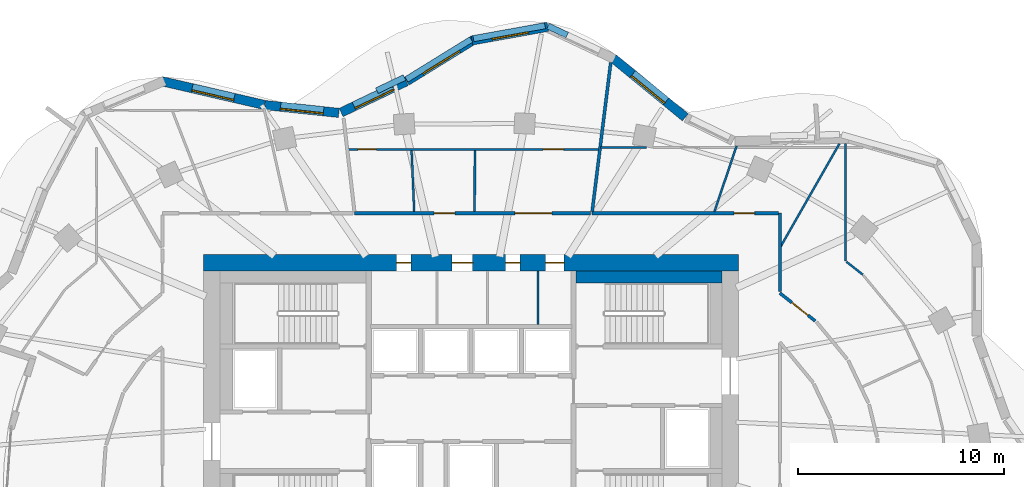
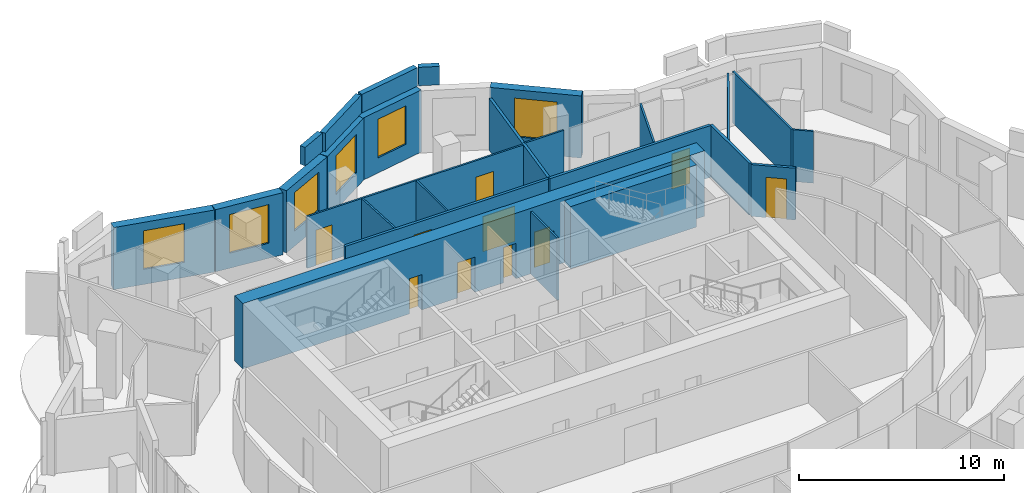
# One storey, part 10 of 13: 26 walls, 10 doors, 6 windows, 16 openings.
"""IFC4 building model written with IfcOpenShell, lengths in metres."""

from ifc_helpers import new_model, si_unit, direction, frame, frame_2d, origin, place, context, subcontext, project, spatial, rectangle, extrude, material, layer, layer_set, type_object, element, fill, save


model = new_model("IFC4")

# Units and contexts
model_context = context("Model", 3, precision=1e-05, world=origin(), true_north=direction((0.0, 1.0)))
body_context = subcontext(model_context, "Body", "Model", "MODEL_VIEW")
ifc_project = project(units=[si_unit("LENGTHUNIT", "METRE"), si_unit("AREAUNIT", "SQUARE_METRE"), si_unit("VOLUMEUNIT", "CUBIC_METRE"), si_unit("PLANEANGLEUNIT", "RADIAN"), si_unit("MASSUNIT", "GRAM", prefix="KILO")], contexts=[model_context])

# Site, building, storey
site_placement = place(None, origin())
site = spatial("IfcSite", under=ifc_project, at=site_placement, CompositionType="ELEMENT")
building_placement = place(site_placement, origin())
building = spatial("IfcBuilding", under=site, at=building_placement, Name="Rubra Terraces Tower", CompositionType="ELEMENT")
storey_placement = place(building_placement, frame((0.0, 0.0, 209.10009765625)))
storey = spatial("IfcBuildingStorey", under=building, at=storey_placement, Name="L51", CompositionType="ELEMENT", Elevation=209.10009765625)

# Wall, opening, window
ifc_material_1 = material(Name="Brick masonry red-brown", Category="masonry")
ifc_layer_1 = layer(ifc_material_1, 0.449951171875)
ifc_layer_set_1 = layer_set([ifc_layer_1], Name="Brick masonry red-brown")
wall_type_1 = type_object("IfcWallType", Name="Brick facade wall 450", PredefinedType="SOLIDWALL", material=ifc_layer_set_1)
wall_1_placement = place(storey_placement, frame((10.407470703125, 18.660888671875, 0.0), z_axis=(0.0, 0.0, 1.0), x_axis=(-0.773702458947, 0.633549133864, 0.0)))
wall_1 = element("IfcWall", 1, at=wall_1_placement, inside=storey, type_object=wall_type_1, Name="Facade wall L51 bay 8", PredefinedType="SOLIDWALL", context=body_context, shape_type="SweptSolid", body=[
    extrude(rectangle(XDim=4.525634765625, YDim=0.449951171875, at=frame_2d((2.2626953125, 0.0))), origin(), (0.0, 0.0, 1.0), 3.699951171875),
])
opening_1_placement = place(wall_1_placement, frame((1.212890625, 0.0, 0.89990234375)))
opening_1 = element("IfcOpeningElement", 2, at=opening_1_placement, cuts=wall_1, Name="Opening W1B", PredefinedType="OPENING", context=body_context, shape_type="SweptSolid", body=[
    extrude(rectangle(XDim=2.10009765625, YDim=2.300048828125, at=frame_2d((1.050048828125, 1.14990234375))), frame((0.0, 0.23486328125, 0.0), z_axis=(0.0, -1.0, 0.0), x_axis=(1.0, 0.0, 0.0)), (0.0, 0.0, 1.0), 0.469970703125),
])
ifc_material_2 = material(Name="Clear glass in aluminium frame", Category="aluminium")
window_type_1 = type_object("IfcWindowType", Name="Fixed deep-set window tall storey 2100 x 2300", PartitioningType="SINGLE_PANEL", PredefinedType="WINDOW", material=ifc_material_2)
window_1_placement = place(opening_1_placement, origin())
window_1 = element("IfcWindow", 3, at=window_1_placement, inside=storey, type_object=window_type_1, Name="Window L51 bay 8", OverallHeight=2.300048828125, OverallWidth=2.10009765625, PartitioningType="SINGLE_PANEL", PredefinedType="WINDOW", context=body_context, shape_type="SweptSolid", body=[
    extrude(rectangle(XDim=2.10009765625, YDim=2.300048828125, at=frame_2d((1.050048828125, 1.14990234375))), frame((0.0, 0.135009765625, 0.0), z_axis=(0.0, -1.0, 0.0), x_axis=(1.0, 0.0, 0.0)), (0.0, 0.0, 1.0), 0.06005859375),
])
fill(opening_1, window_1)

wall_2_placement = place(storey_placement, frame((3.726806640625, 23.060546875, 0.0), z_axis=(0.0, 0.0, 1.0), x_axis=(-0.984119180424, -0.177508982087, 0.0)))
wall_2 = element("IfcWall", 4, at=wall_2_placement, inside=storey, type_object=wall_type_1, Name="Facade wall L51 bay 10", PredefinedType="SOLIDWALL", context=body_context, shape_type="SweptSolid", body=[
    extrude(rectangle(XDim=3.74658203125, YDim=0.449951171875, at=frame_2d((1.873291015625, 0.0))), origin(), (0.0, 0.0, 1.0), 3.699951171875),
])
opening_2_placement = place(wall_2_placement, frame((0.97314453125, 0.0, 0.89990234375)))
opening_2 = element("IfcOpeningElement", 5, at=opening_2_placement, cuts=wall_2, Name="Opening W6B", PredefinedType="OPENING", context=body_context, shape_type="SweptSolid", body=[
    extrude(rectangle(XDim=1.800048828125, YDim=2.300048828125, at=frame_2d((0.89990234375, 1.14990234375))), frame((0.0, 0.23486328125, 0.0), z_axis=(0.0, -1.0, 0.0), x_axis=(1.0, 0.0, 0.0)), (0.0, 0.0, 1.0), 0.469970703125),
])
window_type_2 = type_object("IfcWindowType", Name="Fixed deep-set window at wind fin tall storey 1800 x 2300", PartitioningType="SINGLE_PANEL", PredefinedType="WINDOW", material=ifc_material_2)
window_2_placement = place(opening_2_placement, origin())
window_2 = element("IfcWindow", 6, at=window_2_placement, inside=storey, type_object=window_type_2, Name="Window L51 bay 10", OverallHeight=2.300048828125, OverallWidth=1.800048828125, PartitioningType="SINGLE_PANEL", PredefinedType="WINDOW", context=body_context, shape_type="SweptSolid", body=[
    extrude(rectangle(XDim=1.800048828125, YDim=2.300048828125, at=frame_2d((0.89990234375, 1.14990234375))), frame((0.0, 0.135009765625, 0.0), z_axis=(0.0, -1.0, 0.0), x_axis=(1.0, 0.0, 0.0)), (0.0, 0.0, 1.0), 0.06005859375),
])
fill(opening_2, window_2)

wall_3_placement = place(storey_placement, frame((0.114990234375, 22.423583984375, 0.0), z_axis=(0.0, 0.0, 1.0), x_axis=(-0.8506970368, -0.525656305564, 0.0)))
wall_3 = element("IfcWall", 7, at=wall_3_placement, inside=storey, type_object=wall_type_1, Name="Facade wall L51 bay 11", PredefinedType="SOLIDWALL", context=body_context, shape_type="SweptSolid", body=[
    extrude(rectangle(XDim=3.81640625, YDim=0.449951171875, at=frame_2d((1.908203125, 0.0))), origin(), (0.0, 0.0, 1.0), 3.699951171875),
])
opening_3_placement = place(wall_3_placement, frame((0.858154296875, 0.0, 0.89990234375)))
opening_3 = element("IfcOpeningElement", 8, at=opening_3_placement, cuts=wall_3, Name="Opening W1B", PredefinedType="OPENING", context=body_context, shape_type="SweptSolid", body=[
    extrude(rectangle(XDim=2.10009765625, YDim=2.300048828125, at=frame_2d((1.050048828125, 1.14990234375))), frame((0.0, 0.23486328125, 0.0), z_axis=(0.0, -1.0, 0.0), x_axis=(1.0, 0.0, 0.0)), (0.0, 0.0, 1.0), 0.469970703125),
])
window_3_placement = place(opening_3_placement, origin())
window_3 = element("IfcWindow", 9, at=window_3_placement, inside=storey, type_object=window_type_1, Name="Window L51 bay 11", OverallHeight=2.300048828125, OverallWidth=2.10009765625, PartitioningType="SINGLE_PANEL", PredefinedType="WINDOW", context=body_context, shape_type="SweptSolid", body=[
    extrude(rectangle(XDim=2.10009765625, YDim=2.300048828125, at=frame_2d((1.050048828125, 1.14990234375))), frame((0.0, 0.135009765625, 0.0), z_axis=(0.0, -1.0, 0.0), x_axis=(1.0, 0.0, 0.0)), (0.0, 0.0, 1.0), 0.06005859375),
])
fill(opening_3, window_3)

wall_4_placement = place(storey_placement, frame((-3.153564453125, 20.406005859375, 0.0), z_axis=(0.0, 0.0, 1.0), x_axis=(-0.902333313, -0.431038968367, 0.0)))
wall_4 = element("IfcWall", 10, at=wall_4_placement, inside=storey, type_object=wall_type_1, Name="Facade wall L51 bay 12", PredefinedType="SOLIDWALL", context=body_context, shape_type="SweptSolid", body=[
    extrude(rectangle(XDim=3.50537109375, YDim=0.449951171875, at=frame_2d((1.752685546875, 0.0))), origin(), (0.0, 0.0, 1.0), 3.699951171875),
])
opening_4_placement = place(wall_4_placement, frame((0.702880859375, 0.0, 0.89990234375)))
opening_4 = element("IfcOpeningElement", 11, at=opening_4_placement, cuts=wall_4, Name="Opening W1B", PredefinedType="OPENING", context=body_context, shape_type="SweptSolid", body=[
    extrude(rectangle(XDim=2.10009765625, YDim=2.300048828125, at=frame_2d((1.050048828125, 1.14990234375))), frame((0.0, 0.23486328125, 0.0), z_axis=(0.0, -1.0, 0.0), x_axis=(1.0, 0.0, 0.0)), (0.0, 0.0, 1.0), 0.469970703125),
])
window_4_placement = place(opening_4_placement, origin())
window_4 = element("IfcWindow", 12, at=window_4_placement, inside=storey, type_object=window_type_1, Name="Window L51 bay 12", OverallHeight=2.300048828125, OverallWidth=2.10009765625, PartitioningType="SINGLE_PANEL", PredefinedType="WINDOW", context=body_context, shape_type="SweptSolid", body=[
    extrude(rectangle(XDim=2.10009765625, YDim=2.300048828125, at=frame_2d((1.050048828125, 1.14990234375))), frame((0.0, 0.135009765625, 0.0), z_axis=(0.0, -1.0, 0.0), x_axis=(1.0, 0.0, 0.0)), (0.0, 0.0, 1.0), 0.06005859375),
])
fill(opening_4, window_4)

wall_5_placement = place(storey_placement, frame((-6.4267578125, 18.875244140625, 0.0), z_axis=(0.0, 0.0, 1.0), x_axis=(-0.994433468803, 0.10536638992, 0.0)))
wall_5 = element("IfcWall", 13, at=wall_5_placement, inside=storey, type_object=wall_type_1, Name="Facade wall L51 bay 13", PredefinedType="SOLIDWALL", context=body_context, shape_type="SweptSolid", body=[
    extrude(rectangle(XDim=3.598388671875, YDim=0.449951171875, at=frame_2d((1.79931640625, 0.0))), origin(), (0.0, 0.0, 1.0), 3.699951171875),
])
opening_5_placement = place(wall_5_placement, frame((0.749267578125, 0.0, 0.89990234375)))
opening_5 = element("IfcOpeningElement", 14, at=opening_5_placement, cuts=wall_5, Name="Opening W1B", PredefinedType="OPENING", context=body_context, shape_type="SweptSolid", body=[
    extrude(rectangle(XDim=2.10009765625, YDim=2.300048828125, at=frame_2d((1.050048828125, 1.14990234375))), frame((0.0, 0.23486328125, 0.0), z_axis=(0.0, -1.0, 0.0), x_axis=(1.0, 0.0, 0.0)), (0.0, 0.0, 1.0), 0.469970703125),
])
window_5_placement = place(opening_5_placement, origin())
window_5 = element("IfcWindow", 15, at=window_5_placement, inside=storey, type_object=window_type_1, Name="Window L51 bay 13", OverallHeight=2.300048828125, OverallWidth=2.10009765625, PartitioningType="SINGLE_PANEL", PredefinedType="WINDOW", context=body_context, shape_type="SweptSolid", body=[
    extrude(rectangle(XDim=2.10009765625, YDim=2.300048828125, at=frame_2d((1.050048828125, 1.14990234375))), frame((0.0, 0.135009765625, 0.0), z_axis=(0.0, -1.0, 0.0), x_axis=(1.0, 0.0, 0.0)), (0.0, 0.0, 1.0), 0.06005859375),
])
fill(opening_5, window_5)

wall_6_placement = place(storey_placement, frame((-10.0341796875, 19.258544921875, 0.0), z_axis=(0.0, 0.0, 1.0), x_axis=(-0.974223567844, 0.225584662283, 0.0)))
wall_6 = element("IfcWall", 16, at=wall_6_placement, inside=storey, type_object=wall_type_1, Name="Facade wall L51 bay 14", PredefinedType="SOLIDWALL", context=body_context, shape_type="SweptSolid", body=[
    extrude(rectangle(XDim=5.138671875, YDim=0.449951171875, at=frame_2d((2.5693359375, 0.0))), origin(), (0.0, 0.0, 1.0), 3.699951171875),
])
opening_6_placement = place(wall_6_placement, frame((1.51904296875, 0.0, 0.89990234375)))
opening_6 = element("IfcOpeningElement", 17, at=opening_6_placement, cuts=wall_6, Name="Opening W1B", PredefinedType="OPENING", context=body_context, shape_type="SweptSolid", body=[
    extrude(rectangle(XDim=2.10009765625, YDim=2.300048828125, at=frame_2d((1.050048828125, 1.14990234375))), frame((0.0, 0.23486328125, 0.0), z_axis=(0.0, -1.0, 0.0), x_axis=(1.0, 0.0, 0.0)), (0.0, 0.0, 1.0), 0.469970703125),
])
window_6_placement = place(opening_6_placement, origin())
window_6 = element("IfcWindow", 18, at=window_6_placement, inside=storey, type_object=window_type_1, Name="Window L51 bay 14", OverallHeight=2.300048828125, OverallWidth=2.10009765625, PartitioningType="SINGLE_PANEL", PredefinedType="WINDOW", context=body_context, shape_type="SweptSolid", body=[
    extrude(rectangle(XDim=2.10009765625, YDim=2.300048828125, at=frame_2d((1.050048828125, 1.14990234375))), frame((0.0, 0.135009765625, 0.0), z_axis=(0.0, -1.0, 0.0), x_axis=(1.0, 0.0, 0.0)), (0.0, 0.0, 1.0), 0.06005859375),
])
fill(opening_6, window_6)

# Walls
ifc_layer_2 = layer(ifc_material_1, 0.300048828125)
ifc_layer_set_2 = layer_set([ifc_layer_2], Name="Brick masonry red-brown")
wall_type_2 = type_object("IfcWallType", Name="Brick parapet 300", PredefinedType="PARAPET", material=ifc_layer_set_2)
wall_7_placement = place(storey_placement, frame((4.66650390625, 22.656005859375, 3.89990234375), z_axis=(0.0, 0.0, 1.0), x_axis=(-0.905050240273, 0.425304670304, 0.0)))
element("IfcWall", 19, at=wall_7_placement, inside=storey, type_object=wall_type_2, Name="Parapet L51 bay 9", PredefinedType="PARAPET", context=body_context, shape_type="SweptSolid", body=[
    extrude(rectangle(XDim=1.02685546875, YDim=0.300048828125, at=frame_2d((0.513427734375, 0.0))), origin(), (0.0, 0.0, 1.0), 1.10009765625),
])
wall_8_placement = place(storey_placement, frame((3.58984375, 23.112060546875, 3.89990234375), z_axis=(0.0, 0.0, 1.0), x_axis=(-0.984124248147, -0.177480884064, 0.0)))
element("IfcWall", 20, at=wall_8_placement, inside=storey, type_object=wall_type_2, Name="Parapet L51 bay 10", PredefinedType="PARAPET", context=body_context, shape_type="SweptSolid", body=[
    extrude(rectangle(XDim=3.533935546875, YDim=0.300048828125, at=frame_2d((1.76708984375, 0.0))), origin(), (0.0, 0.0, 1.0), 1.10009765625),
])
wall_9_placement = place(storey_placement, frame((0.0048828125, 22.443603515625, 3.89990234375), z_axis=(0.0, 0.0, 1.0), x_axis=(-0.850710394144, -0.525634688063, 0.0)))
element("IfcWall", 21, at=wall_9_placement, inside=storey, type_object=wall_type_2, Name="Parapet L51 bay 11", PredefinedType="PARAPET", context=body_context, shape_type="SweptSolid", body=[
    extrude(rectangle(XDim=3.701904296875, YDim=0.300048828125, at=frame_2d((1.85107421875, 0.0))), origin(), (0.0, 0.0, 1.0), 1.10009765625),
])
wall_10_placement = place(storey_placement, frame((-3.2392578125, 20.594482421875, 3.89990234375), z_axis=(0.0, 0.0, 1.0), x_axis=(-0.902344893923, -0.431014724123, 0.0)))
element("IfcWall", 22, at=wall_10_placement, inside=storey, type_object=wall_type_2, Name="Parapet L51 bay 12", PredefinedType="PARAPET", context=body_context, shape_type="SweptSolid", body=[
    extrude(rectangle(XDim=1.48974609375, YDim=0.300048828125, at=frame_2d((0.744873046875, 0.0))), origin(), (0.0, 0.0, 1.0), 1.10009765625),
])

# Wall, openings, doors
ifc_material_3 = material(Name="Concrete C50", Category="concrete")
ifc_layer_3 = layer(ifc_material_3, 0.800048828125)
ifc_layer_set_3 = layer_set([ifc_layer_3], Name="Concrete C50")
wall_type_3 = type_object("IfcWallType", Name="CORE WALL 800 C50", PredefinedType="SHEAR", material=ifc_layer_set_3)
wall_11_placement = place(storey_placement, frame((-13.0, 11.60009765625, 0.0), z_axis=(0.0, 0.0, 1.0), x_axis=(1.0, 0.0, 0.0)))
wall_11 = element("IfcWall", 23, at=wall_11_placement, inside=storey, type_object=wall_type_3, Name="CORE WALL N L51", PredefinedType="SHEAR", context=body_context, shape_type="SweptSolid", body=[
    extrude(rectangle(XDim=26.0, YDim=0.800048828125, at=frame_2d((13.0, 0.0))), origin(), (0.0, 0.0, 1.0), 3.89990234375),
])
opening_7_placement = place(wall_11_placement, frame((9.375, 0.0, 0.0)))
opening_7 = element("IfcOpeningElement", 24, at=opening_7_placement, cuts=wall_11, Name="Opening L51.C25", PredefinedType="OPENING", context=body_context, shape_type="SweptSolid", body=[
    extrude(rectangle(XDim=0.699951171875, YDim=2.10009765625, at=frame_2d((0.35009765625, 1.050048828125))), frame((0.0, 0.409912109375, 0.0), z_axis=(0.0, -1.0, 0.0), x_axis=(1.0, 0.0, 0.0)), (0.0, 0.0, 1.0), 0.820068359375),
])
opening_8_placement = place(wall_11_placement, frame((12.074951171875, 0.0, 0.0)))
opening_8 = element("IfcOpeningElement", 25, at=opening_8_placement, cuts=wall_11, Name="Opening L51.C26", PredefinedType="OPENING", context=body_context, shape_type="SweptSolid", body=[
    extrude(rectangle(XDim=1.0, YDim=2.10009765625, at=frame_2d((0.5, 1.050048828125))), frame((0.0, 0.409912109375, 0.0), z_axis=(0.0, -1.0, 0.0), x_axis=(1.0, 0.0, 0.0)), (0.0, 0.0, 1.0), 0.820068359375),
])
opening_9_placement = place(wall_11_placement, frame((14.675048828125, 0.0, 0.0)))
opening_9 = element("IfcOpeningElement", 26, at=opening_9_placement, cuts=wall_11, Name="Opening L51.C27", PredefinedType="OPENING", context=body_context, shape_type="SweptSolid", body=[
    extrude(rectangle(XDim=0.699951171875, YDim=2.10009765625, at=frame_2d((0.35009765625, 1.050048828125))), frame((0.0, 0.409912109375, 0.0), z_axis=(0.0, -1.0, 0.0), x_axis=(1.0, 0.0, 0.0)), (0.0, 0.0, 1.0), 0.820068359375),
])
opening_10_placement = place(wall_11_placement, frame((16.625, 0.0, 0.0)))
opening_10 = element("IfcOpeningElement", 27, at=opening_10_placement, cuts=wall_11, Name="Opening L51.C28", PredefinedType="OPENING", context=body_context, shape_type="SweptSolid", body=[
    extrude(rectangle(XDim=0.89990234375, YDim=2.10009765625, at=frame_2d((0.449951171875, 1.050048828125))), frame((0.0, 0.409912109375, 0.0), z_axis=(0.0, -1.0, 0.0), x_axis=(1.0, 0.0, 0.0)), (0.0, 0.0, 1.0), 0.820068359375),
])
ifc_material_4 = material(Name="Painted steel", Category="steel")
door_type_1 = type_object("IfcDoorType", Name="Fire door 1000x2100 single", OperationType="NOTDEFINED", PredefinedType="DOOR", material=ifc_material_4)
door_1_placement = place(opening_8_placement, origin())
door_1 = element("IfcDoor", 28, at=door_1_placement, inside=storey, type_object=door_type_1, Name="General store door", OperationType="SINGLE_SWING_RIGHT", OverallHeight=2.10009765625, OverallWidth=1.0, PredefinedType="DOOR", context=body_context, shape_type="SweptSolid", body=[
    extrude(rectangle(XDim=1.0, YDim=2.10009765625, at=frame_2d((0.5, 1.050048828125))), frame((0.0, 0.02490234375, 0.0), z_axis=(0.0, -1.0, 0.0), x_axis=(1.0, 0.0, 0.0)), (0.0, 0.0, 1.0), 0.050048828125),
])
fill(opening_8, door_1)
door_type_2 = type_object("IfcDoorType", Name="Fire door 900x2100 single", OperationType="NOTDEFINED", PredefinedType="DOOR", material=ifc_material_4)
door_2_placement = place(opening_10_placement, origin())
door_2 = element("IfcDoor", 29, at=door_2_placement, inside=storey, type_object=door_type_2, Name="Cleaner's store door", OperationType="SINGLE_SWING_RIGHT", OverallHeight=2.10009765625, OverallWidth=0.89990234375, PredefinedType="DOOR", context=body_context, shape_type="SweptSolid", body=[
    extrude(rectangle(XDim=0.89990234375, YDim=2.10009765625, at=frame_2d((0.449951171875, 1.050048828125))), frame((0.0, 0.02490234375, 0.0), z_axis=(0.0, -1.0, 0.0), x_axis=(1.0, 0.0, 0.0)), (0.0, 0.0, 1.0), 0.050048828125),
])
fill(opening_10, door_2)
door_type_3 = type_object("IfcDoorType", Name="Riser access door 700x2100 single", OperationType="NOTDEFINED", PredefinedType="DOOR", material=ifc_material_4)
door_3_placement = place(opening_7_placement, origin())
door_3 = element("IfcDoor", 30, at=door_3_placement, inside=storey, type_object=door_type_3, Name="Telecoms room door", OperationType="SINGLE_SWING_LEFT", OverallHeight=2.10009765625, OverallWidth=0.699951171875, PredefinedType="DOOR", context=body_context, shape_type="SweptSolid", body=[
    extrude(rectangle(XDim=0.699951171875, YDim=2.10009765625, at=frame_2d((0.35009765625, 1.050048828125))), frame((0.0, 0.02490234375, 0.0), z_axis=(0.0, -1.0, 0.0), x_axis=(1.0, 0.0, 0.0)), (0.0, 0.0, 1.0), 0.050048828125),
])
fill(opening_7, door_3)
door_4_placement = place(opening_9_placement, origin())
door_4 = element("IfcDoor", 31, at=door_4_placement, inside=storey, type_object=door_type_3, Name="Electrical riser room door", OperationType="SINGLE_SWING_LEFT", OverallHeight=2.10009765625, OverallWidth=0.699951171875, PredefinedType="DOOR", context=body_context, shape_type="SweptSolid", body=[
    extrude(rectangle(XDim=0.699951171875, YDim=2.10009765625, at=frame_2d((0.35009765625, 1.050048828125))), frame((0.0, 0.02490234375, 0.0), z_axis=(0.0, -1.0, 0.0), x_axis=(1.0, 0.0, 0.0)), (0.0, 0.0, 1.0), 0.050048828125),
])
fill(opening_9, door_4)

# Wall, opening, door
ifc_material_5 = material(Name="Plasterboard on steel stud, mineral wool infill", Category="steel")
ifc_layer_4 = layer(ifc_material_5, 0.14990234375)
ifc_layer_set_4 = layer_set([ifc_layer_4], Name="Plasterboard on steel stud, mineral wool infill")
wall_type_4 = type_object("IfcWallType", Name="CORRIDOR PARTITION 150", PredefinedType="PARTITIONING", material=ifc_layer_set_4)
wall_12_placement = place(storey_placement, frame((16.723876953125, 8.761474609375, 0.0), z_axis=(0.0, 0.0, 1.0), x_axis=(-0.785124633057, 0.619337800047, 0.0)))
wall_12 = element("IfcWall", 32, at=wall_12_placement, inside=storey, type_object=wall_type_4, Name="PARTITION", PredefinedType="PARTITIONING", context=body_context, shape_type="SweptSolid", body=[
    extrude(rectangle(XDim=2.195556640625, YDim=0.14990234375, at=frame_2d((1.09765625, 0.0))), origin(), (0.0, 0.0, 1.0), 3.083984375),
])
opening_11_placement = place(wall_12_placement, frame((0.449951171875, 0.0, 0.0)))
opening_11 = element("IfcOpeningElement", 33, at=opening_11_placement, cuts=wall_12, Name="Opening 51-111", PredefinedType="OPENING", context=body_context, shape_type="SweptSolid", body=[
    extrude(rectangle(XDim=1.0, YDim=2.39990234375, at=frame_2d((0.5, 1.199951171875))), frame((0.0, 0.0849609375, 0.0), z_axis=(0.0, -1.0, 0.0), x_axis=(1.0, 0.0, 0.0)), (0.0, 0.0, 1.0), 0.169921875),
])
ifc_material_6 = material(Name="Glazed aluminium meeting door leaf", Category="aluminium")
door_type_4 = type_object("IfcDoorType", Name="MEETING ROOM GLAZED DOOR 1000 X 2400", OperationType="SINGLE_SWING_LEFT", PredefinedType="DOOR", material=ifc_material_6)
door_5_placement = place(opening_11_placement, origin())
door_5 = element("IfcDoor", 34, at=door_5_placement, inside=storey, type_object=door_type_4, Name="DOOR 51-111", OperationType="SINGLE_SWING_RIGHT", OverallHeight=2.39990234375, OverallWidth=1.0, PredefinedType="DOOR", context=body_context, shape_type="SweptSolid", body=[
    extrude(rectangle(XDim=1.0, YDim=2.39990234375, at=frame_2d((0.5, 1.199951171875))), frame((0.0, 0.02490234375, 0.0), z_axis=(0.0, -1.0, 0.0), x_axis=(1.0, 0.0, 0.0)), (0.0, 0.0, 1.0), 0.050048828125),
])
fill(opening_11, door_5)

# Wall
wall_13_placement = place(storey_placement, frame((15.0, 10.1962890625, 0.0), z_axis=(0.0, 0.0, 1.0), x_axis=(0.0, 1.0, 0.0)))
element("IfcWall", 35, at=wall_13_placement, inside=storey, type_object=wall_type_4, Name="PARTITION", PredefinedType="PARTITIONING", context=body_context, shape_type="SweptSolid", body=[
    extrude(rectangle(XDim=3.8037109375, YDim=0.14990234375, at=frame_2d((1.90185546875, 0.0))), origin(), (0.0, 0.0, 1.0), 3.083984375),
])

# Wall, opening, door
wall_14_placement = place(storey_placement, frame((14.925048828125, 14.0, 0.0), z_axis=(0.0, 0.0, 1.0), x_axis=(-1.0, 0.0, 0.0)))
wall_14 = element("IfcWall", 36, at=wall_14_placement, inside=storey, type_object=wall_type_4, Name="PARTITION", PredefinedType="PARTITIONING", context=body_context, shape_type="SweptSolid", body=[
    extrude(rectangle(XDim=9.052734375, YDim=0.14990234375, at=frame_2d((4.5263671875, 0.0))), origin(), (0.0, 0.0, 1.0), 3.083984375),
])
opening_12_placement = place(wall_14_placement, frame((1.14990234375, 0.0, 0.0)))
opening_12 = element("IfcOpeningElement", 37, at=opening_12_placement, cuts=wall_14, Name="Opening 51-125", PredefinedType="OPENING", context=body_context, shape_type="SweptSolid", body=[
    extrude(rectangle(XDim=1.0, YDim=2.10009765625, at=frame_2d((0.5, 1.050048828125))), frame((0.0, 0.0849609375, 0.0), z_axis=(0.0, -1.0, 0.0), x_axis=(1.0, 0.0, 0.0)), (0.0, 0.0, 1.0), 0.169921875),
])
ifc_material_7 = material(Name="Painted timber door leaf", Category="wood")
door_type_5 = type_object("IfcDoorType", Name="ROOM DOOR 1000 X 2100", OperationType="SINGLE_SWING_LEFT", PredefinedType="DOOR", material=ifc_material_7)
door_6_placement = place(opening_12_placement, origin())
door_6 = element("IfcDoor", 38, at=door_6_placement, inside=storey, type_object=door_type_5, Name="DOOR 51-125", OperationType="SINGLE_SWING_RIGHT", OverallHeight=2.10009765625, OverallWidth=1.0, PredefinedType="DOOR", context=body_context, shape_type="SweptSolid", body=[
    extrude(rectangle(XDim=1.0, YDim=2.10009765625, at=frame_2d((0.5, 1.050048828125))), frame((0.0, 0.02490234375, 0.0), z_axis=(0.0, -1.0, 0.0), x_axis=(1.0, 0.0, 0.0)), (0.0, 0.0, 1.0), 0.050048828125),
])
fill(opening_12, door_6)

# Wall, openings, doors
wall_15_placement = place(storey_placement, frame((5.79736328125, 14.0, 0.0), z_axis=(0.0, 0.0, 1.0), x_axis=(-1.0, 0.0, 0.0)))
wall_15 = element("IfcWall", 39, at=wall_15_placement, inside=storey, type_object=wall_type_4, Name="PARTITION", PredefinedType="PARTITIONING", context=body_context, shape_type="SweptSolid", body=[
    extrude(rectangle(XDim=11.45751953125, YDim=0.14990234375, at=frame_2d((5.728759765625, 0.0))), origin(), (0.0, 0.0, 1.0), 3.083984375),
])
opening_13_placement = place(wall_15_placement, frame((1.875, 0.0, 0.0)))
opening_13 = element("IfcOpeningElement", 40, at=opening_13_placement, cuts=wall_15, Name="Opening 51-113", PredefinedType="OPENING", context=body_context, shape_type="SweptSolid", body=[
    extrude(rectangle(XDim=1.800048828125, YDim=2.10009765625, at=frame_2d((0.89990234375, 1.050048828125))), frame((0.0, 0.0849609375, 0.0), z_axis=(0.0, -1.0, 0.0), x_axis=(1.0, 0.0, 0.0)), (0.0, 0.0, 1.0), 0.169921875),
])
opening_14_placement = place(wall_15_placement, frame((6.592041015625, 0.0, 0.0)))
opening_14 = element("IfcOpeningElement", 41, at=opening_14_placement, cuts=wall_15, Name="Opening 51-115", PredefinedType="OPENING", context=body_context, shape_type="SweptSolid", body=[
    extrude(rectangle(XDim=1.0, YDim=2.39990234375, at=frame_2d((0.5, 1.199951171875))), frame((0.0, 0.0849609375, 0.0), z_axis=(0.0, -1.0, 0.0), x_axis=(1.0, 0.0, 0.0)), (0.0, 0.0, 1.0), 0.169921875),
])
door_7_placement = place(opening_14_placement, origin())
door_7 = element("IfcDoor", 42, at=door_7_placement, inside=storey, type_object=door_type_4, Name="DOOR 51-115", OperationType="SINGLE_SWING_RIGHT", OverallHeight=2.39990234375, OverallWidth=1.0, PredefinedType="DOOR", context=body_context, shape_type="SweptSolid", body=[
    extrude(rectangle(XDim=1.0, YDim=2.39990234375, at=frame_2d((0.5, 1.199951171875))), frame((0.0, 0.02490234375, 0.0), z_axis=(0.0, -1.0, 0.0), x_axis=(1.0, 0.0, 0.0)), (0.0, 0.0, 1.0), 0.050048828125),
])
fill(opening_14, door_7)
ifc_material_8 = material(Name="Painted timber door leaf, double", Category="wood")
door_type_6 = type_object("IfcDoorType", Name="ROOM DOUBLE DOOR 1800 X 2100", OperationType="DOUBLE_DOOR_SINGLE_SWING", PredefinedType="DOOR", material=ifc_material_8)
door_8_placement = place(opening_13_placement, origin())
door_8 = element("IfcDoor", 43, at=door_8_placement, inside=storey, type_object=door_type_6, Name="DOOR 51-113", OperationType="DOUBLE_DOOR_SINGLE_SWING", OverallHeight=2.10009765625, OverallWidth=1.800048828125, PredefinedType="DOOR", context=body_context, shape_type="SweptSolid", body=[
    extrude(rectangle(XDim=1.800048828125, YDim=2.10009765625, at=frame_2d((0.89990234375, 1.050048828125))), frame((0.0, 0.02490234375, 0.0), z_axis=(0.0, -1.0, 0.0), x_axis=(1.0, 0.0, 0.0)), (0.0, 0.0, 1.0), 0.050048828125),
])
fill(opening_13, door_8)

# Walls
ifc_material_9 = material(Name="Concrete C40", Category="concrete")
ifc_layer_5 = layer(ifc_material_9, 0.60009765625)
ifc_layer_set_5 = layer_set([ifc_layer_5], Name="Concrete C40")
wall_type_5 = type_object("IfcWallType", Name="Core lining wall 600 concrete", PredefinedType="SOLIDWALL", material=ifc_layer_set_5)
wall_16_placement = place(storey_placement, frame((12.199951171875, 10.89990234375, 0.0), z_axis=(0.0, 0.0, 1.0), x_axis=(-1.0, 0.0, 0.0)))
element("IfcWall", 44, at=wall_16_placement, inside=storey, type_object=wall_type_5, Name="CORE LINING WALL L51", PredefinedType="SOLIDWALL", context=body_context, shape_type="SweptSolid", body=[
    extrude(rectangle(XDim=7.099853515625, YDim=0.60009765625, at=frame_2d((3.5498046875, 0.0))), origin(), (0.0, 0.0, 1.0), 3.699951171875),
])
ifc_material_10 = material(Name="Plasterboard on steel stud", Category="steel")
ifc_layer_6 = layer(ifc_material_10, 0.10009765625)
ifc_layer_set_6 = layer_set([ifc_layer_6], Name="Plasterboard on steel stud")
wall_type_6 = type_object("IfcWallType", Name="ROOM PARTITION 100", PredefinedType="PARTITIONING", material=ifc_layer_set_6)
wall_17_placement = place(storey_placement, frame((6.291015625, 17.199951171875, 0.0), z_axis=(0.0, 0.0, 1.0), x_axis=(1.0, 0.0, 0.0)))
element("IfcWall", 45, at=wall_17_placement, inside=storey, type_object=wall_type_6, Name="PARTITION", PredefinedType="PARTITIONING", context=body_context, shape_type="SweptSolid", body=[
    extrude(rectangle(XDim=2.230224609375, YDim=0.10009765625, at=frame_2d((1.115234375, 0.0))), origin(), (0.0, 0.0, 1.0), 3.083984375),
])
wall_18_placement = place(storey_placement, frame((18.199951171875, 17.382080078125, 0.0), z_axis=(0.0, 0.0, 1.0), x_axis=(0.0, -1.0, 0.0)))
element("IfcWall", 46, at=wall_18_placement, inside=storey, type_object=wall_type_6, Name="PARTITION", PredefinedType="PARTITIONING", context=body_context, shape_type="SweptSolid", body=[
    extrude(rectangle(XDim=5.709228515625, YDim=0.10009765625, at=frame_2d((2.8544921875, 0.0))), origin(), (0.0, 0.0, 1.0), 3.083984375),
])
wall_19_placement = place(storey_placement, frame((18.2392578125, 11.641845703125, 0.0), z_axis=(0.0, 0.0, 1.0), x_axis=(0.785068171188, -0.619409369147, 0.0)))
element("IfcWall", 47, at=wall_19_placement, inside=storey, type_object=wall_type_6, Name="PARTITION", PredefinedType="PARTITIONING", context=body_context, shape_type="SweptSolid", body=[
    extrude(rectangle(XDim=1.010986328125, YDim=0.10009765625, at=frame_2d((0.50537109375, 0.0))), origin(), (0.0, 0.0, 1.0), 3.083984375),
])
wall_20_placement = place(storey_placement, frame((15.037109375, 12.37109375, 0.0), z_axis=(0.0, 0.0, 1.0), x_axis=(0.495783132286, 0.868446363192, 0.0)))
element("IfcWall", 48, at=wall_20_placement, inside=storey, type_object=wall_type_6, Name="PARTITION", PredefinedType="PARTITIONING", context=body_context, shape_type="SweptSolid", body=[
    extrude(rectangle(XDim=5.764404296875, YDim=0.10009765625, at=frame_2d((2.88232421875, 0.0))), origin(), (0.0, 0.0, 1.0), 3.083984375),
])
wall_21_placement = place(storey_placement, frame((11.818603515625, 14.071044921875, 0.0), z_axis=(0.0, 0.0, 1.0), x_axis=(0.320648056837, 0.947198407751, 0.0)))
element("IfcWall", 49, at=wall_21_placement, inside=storey, type_object=wall_type_6, Name="PARTITION", PredefinedType="PARTITIONING", context=body_context, shape_type="SweptSolid", body=[
    extrude(rectangle(XDim=3.37744140625, YDim=0.10009765625, at=frame_2d((1.688720703125, 0.0))), origin(), (0.0, 0.0, 1.0), 3.083984375),
])

# Wall, openings, doors
wall_22_placement = place(storey_placement, frame((-6.000244140625, 17.10009765625, 0.0), z_axis=(0.0, 0.0, 1.0), x_axis=(1.0, 0.0, 0.0)))
wall_22 = element("IfcWall", 50, at=wall_22_placement, inside=storey, type_object=wall_type_6, Name="PARTITION", PredefinedType="PARTITIONING", context=body_context, shape_type="SweptSolid", body=[
    extrude(rectangle(XDim=12.238525390625, YDim=0.10009765625, at=frame_2d((6.119140625, 0.0))), origin(), (0.0, 0.0, 1.0), 3.083984375),
])
opening_15_placement = place(wall_22_placement, frame((9.5, 0.0, 0.0)))
opening_15 = element("IfcOpeningElement", 51, at=opening_15_placement, cuts=wall_22, Name="Opening 51-114", PredefinedType="OPENING", context=body_context, shape_type="SweptSolid", body=[
    extrude(rectangle(XDim=1.0, YDim=2.10009765625, at=frame_2d((0.5, 1.050048828125))), frame((0.0, 0.06005859375, 0.0), z_axis=(0.0, -1.0, 0.0), x_axis=(1.0, 0.0, 0.0)), (0.0, 0.0, 1.0), 0.1201171875),
])
opening_16_placement = place(wall_22_placement, frame((0.5, 0.0, 0.0)))
opening_16 = element("IfcOpeningElement", 52, at=opening_16_placement, cuts=wall_22, Name="Opening 51-116", PredefinedType="OPENING", context=body_context, shape_type="SweptSolid", body=[
    extrude(rectangle(XDim=0.89990234375, YDim=2.10009765625, at=frame_2d((0.449951171875, 1.050048828125))), frame((0.0, 0.06005859375, 0.0), z_axis=(0.0, -1.0, 0.0), x_axis=(1.0, 0.0, 0.0)), (0.0, 0.0, 1.0), 0.1201171875),
])
door_9_placement = place(opening_15_placement, origin())
door_9 = element("IfcDoor", 53, at=door_9_placement, inside=storey, type_object=door_type_5, Name="DOOR 51-114", OperationType="SINGLE_SWING_LEFT", OverallHeight=2.10009765625, OverallWidth=1.0, PredefinedType="DOOR", context=body_context, shape_type="SweptSolid", body=[
    extrude(rectangle(XDim=1.0, YDim=2.10009765625, at=frame_2d((0.5, 1.050048828125))), frame((0.0, 0.02490234375, 0.0), z_axis=(0.0, -1.0, 0.0), x_axis=(1.0, 0.0, 0.0)), (0.0, 0.0, 1.0), 0.050048828125),
])
fill(opening_15, door_9)
door_type_7 = type_object("IfcDoorType", Name="ROOM DOOR 900 X 2100", OperationType="SINGLE_SWING_LEFT", PredefinedType="DOOR", material=ifc_material_7)
door_10_placement = place(opening_16_placement, origin())
door_10 = element("IfcDoor", 54, at=door_10_placement, inside=storey, type_object=door_type_7, Name="DOOR 51-116", OperationType="SINGLE_SWING_LEFT", OverallHeight=2.10009765625, OverallWidth=0.89990234375, PredefinedType="DOOR", context=body_context, shape_type="SweptSolid", body=[
    extrude(rectangle(XDim=0.89990234375, YDim=2.10009765625, at=frame_2d((0.449951171875, 1.050048828125))), frame((0.0, 0.02490234375, 0.0), z_axis=(0.0, -1.0, 0.0), x_axis=(1.0, 0.0, 0.0)), (0.0, 0.0, 1.0), 0.050048828125),
])
fill(opening_16, door_10)

# Walls
wall_23_placement = place(storey_placement, frame((0.173095703125, 14.074951171875, 0.0), z_axis=(0.0, 0.0, 1.0), x_axis=(0.002051530231, 0.99999789561, 0.0)))
element("IfcWall", 55, at=wall_23_placement, inside=storey, type_object=wall_type_6, Name="PARTITION", PredefinedType="PARTITIONING", context=body_context, shape_type="SweptSolid", body=[
    extrude(rectangle(XDim=2.97509765625, YDim=0.10009765625, at=frame_2d((1.487548828125, 0.0))), origin(), (0.0, 0.0, 1.0), 3.083984375),
])
wall_24_placement = place(storey_placement, frame((-2.764892578125, 14.074951171875, 0.0), z_axis=(0.0, 0.0, 1.0), x_axis=(-0.043124132096, 0.999069721907, 0.0)))
element("IfcWall", 56, at=wall_24_placement, inside=storey, type_object=wall_type_6, Name="PARTITION", PredefinedType="PARTITIONING", context=body_context, shape_type="SweptSolid", body=[
    extrude(rectangle(XDim=2.977783203125, YDim=0.10009765625, at=frame_2d((1.48876953125, 0.0))), origin(), (0.0, 0.0, 1.0), 3.083984375),
])
ifc_layer_7 = layer(ifc_material_10, 0.14990234375)
ifc_layer_set_7 = layer_set([ifc_layer_7], Name="Plasterboard on steel stud")
wall_type_7 = type_object("IfcWallType", Name="ROOM PARTITION 150", PredefinedType="PARTITIONING", material=ifc_layer_set_7)
wall_25_placement = place(storey_placement, frame((6.784423828125, 21.32470703125, 0.0), z_axis=(0.0, 0.0, 1.0), x_axis=(-0.123569990481, -0.992335859199, 0.0)))
element("IfcWall", 57, at=wall_25_placement, inside=storey, type_object=wall_type_7, Name="PARTITION", PredefinedType="PARTITIONING", context=body_context, shape_type="SweptSolid", body=[
    extrude(rectangle(XDim=7.30615234375, YDim=0.14990234375, at=frame_2d((3.653076171875, 0.0))), origin(), (0.0, 0.0, 1.0), 3.083984375),
])
ifc_material_11 = material(Name="Blockwork", Category="masonry")
ifc_layer_8 = layer(ifc_material_11, 0.10009765625)
ifc_layer_set_8 = layer_set([ifc_layer_8], Name="Blockwork")
wall_type_8 = type_object("IfcWallType", Name="Service partition 100 blockwork", PredefinedType="PARTITIONING", material=ifc_layer_set_8)
wall_26_placement = place(storey_placement, frame((3.25, 8.60009765625, 0.0), z_axis=(0.0, 0.0, 1.0), x_axis=(0.0, 1.0, 0.0)))
element("IfcWall", 58, at=wall_26_placement, inside=storey, type_object=wall_type_8, Name="SERVICE ROOM PARTITION L51", PredefinedType="PARTITIONING", context=body_context, shape_type="SweptSolid", body=[
    extrude(rectangle(XDim=2.599853515625, YDim=0.10009765625, at=frame_2d((1.2998046875, 0.0))), origin(), (0.0, 0.0, 1.0), 3.699951171875),
])

save(model, "model.ifc")
